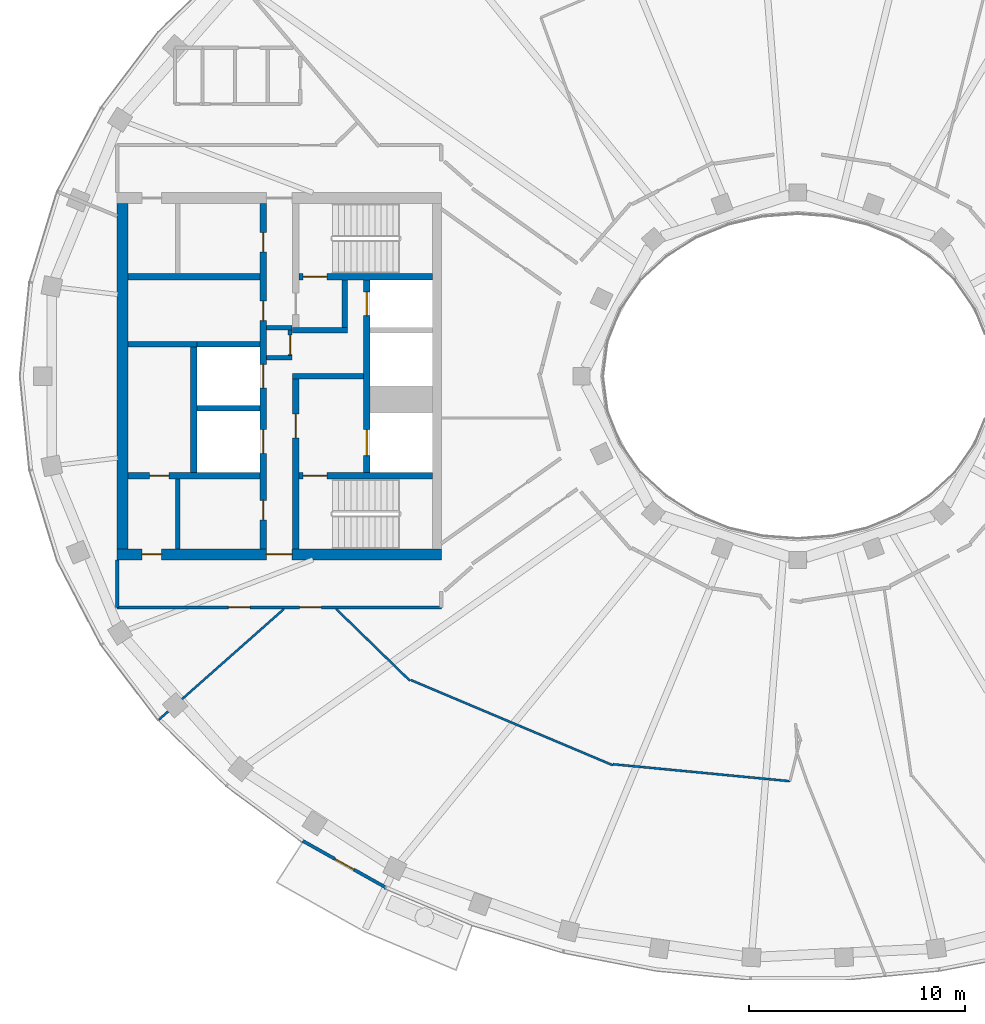
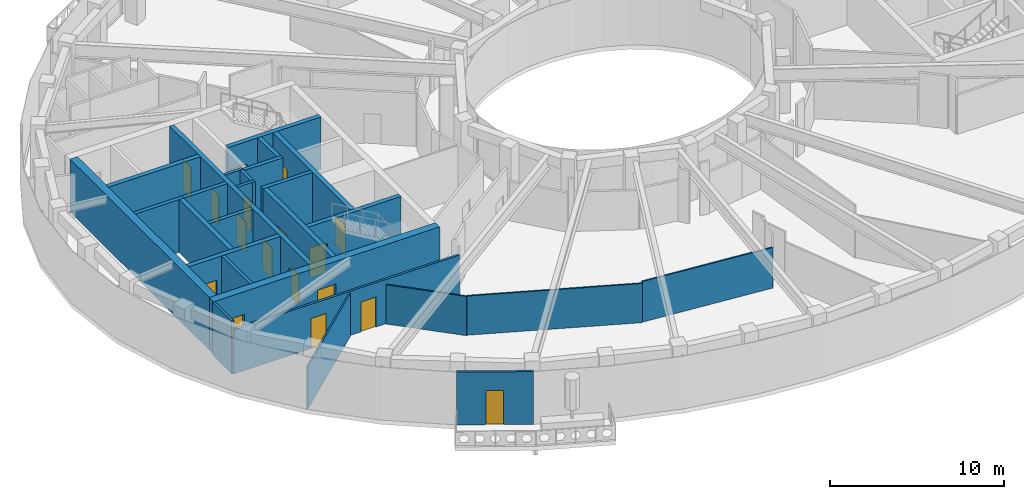
# One storey, part 3 of 18: 27 walls, 17 doors, 17 openings.
"""IFC4 building model written with IfcOpenShell, lengths in metres."""

from ifc_helpers import new_model, si_unit, direction, frame, frame_2d, origin, place, context, subcontext, project, spatial, rectangle, extrude, material, layer, layer_set, type_object, element, fill, save


model = new_model("IFC4")

# Units and contexts
model_context = context("Model", 3, precision=1e-05, world=origin(), true_north=direction((0.0, 1.0)))
body_context = subcontext(model_context, "Body", "Model", "MODEL_VIEW")
ifc_project = project(units=[si_unit("LENGTHUNIT", "METRE"), si_unit("AREAUNIT", "SQUARE_METRE"), si_unit("VOLUMEUNIT", "CUBIC_METRE"), si_unit("PLANEANGLEUNIT", "RADIAN"), si_unit("MASSUNIT", "GRAM", prefix="KILO")], contexts=[model_context])

# Site, building, storey
site_placement = place(None, origin())
site = spatial("IfcSite", under=ifc_project, at=site_placement, CompositionType="ELEMENT")
building_placement = place(site_placement, origin())
building = spatial("IfcBuilding", under=site, at=building_placement, Name="Noorbagh Ring Tower", CompositionType="ELEMENT")
storey_placement = place(building_placement, frame((0.0, 0.0, 319.0)))
storey = spatial("IfcBuildingStorey", under=building, at=storey_placement, Name="L69", CompositionType="ELEMENT", Elevation=319.0)

# Walls
ifc_material_1 = material(Name="Gypsum board on steel studs", Category="steel")
ifc_layer_1 = layer(ifc_material_1, 0.199951171875)
ifc_layer_set_1 = layer_set([ifc_layer_1], Name="Gypsum board on steel studs")
wall_type_1 = type_object("IfcWallType", Name="CORE-PARTITION-200", PredefinedType="PARTITIONING", material=ifc_layer_set_1)
for number, where, z_axis, x_axis, name in (
    (1, (-23.39990234375, 0.85009765625, 0.0), (0.0, 0.0, 1.0), (-1.0, 0.0, 0.0), "Core partition W"),
    (2, (-23.39990234375, 2.25, 0.0), (0.0, 0.0, 1.0), (-1.0, 0.0, 0.0), "Core partition W"),
):
    element("IfcWall", number, at=place(storey_placement, frame(where, z_axis=z_axis, x_axis=x_axis)), inside=storey, type_object=wall_type_1, Name=name, PredefinedType="PARTITIONING", context=body_context, shape_type="SweptSolid", body=[
        extrude(rectangle(XDim=1.2001953125, YDim=0.199951171875, at=frame_2d((0.60009765625, 0.0))), origin(), (0.0, 0.0, 1.0), 3.699951171875),
    ])

# Wall, opening, door
wall_1_placement = place(storey_placement, frame((-23.5, 0.75, 0.0), z_axis=(0.0, 0.0, 1.0), x_axis=(0.0, 1.0, 0.0)))
wall_1 = element("IfcWall", 3, at=wall_1_placement, inside=storey, type_object=wall_type_1, Name="Core partition W", PredefinedType="PARTITIONING", context=body_context, shape_type="SweptSolid", body=[
    extrude(rectangle(XDim=1.60009765625, YDim=0.199951171875, at=frame_2d((0.800048828125, 0.0))), origin(), (0.0, 0.0, 1.0), 3.699951171875),
])
opening_1_placement = place(wall_1_placement, frame((0.25, 0.0, 0.0)))
opening_1 = element("IfcOpeningElement", 4, at=opening_1_placement, cuts=wall_1, Name="Opening L69-CW16", PredefinedType="OPENING", context=body_context, shape_type="SweptSolid", body=[
    extrude(rectangle(XDim=0.89990234375, YDim=2.10009765625, at=frame_2d((0.449951171875, 1.050048828125))), frame((0.0, 0.10986328125, 0.0), z_axis=(0.0, -1.0, 0.0), x_axis=(1.0, 0.0, 0.0)), (0.0, 0.0, 1.0), 0.219970703125),
])
ifc_material_2 = material(Name="Steel door leaf", Category="steel")
door_type_1 = type_object("IfcDoorType", Name="CORE-DOOR-DROOM", OperationType="SINGLE_SWING_LEFT", PredefinedType="DOOR", material=ifc_material_2)
door_1_placement = place(opening_1_placement, origin())
door_1 = element("IfcDoor", 5, at=door_1_placement, inside=storey, type_object=door_type_1, Name="Core room door L69-CW16", OperationType="SINGLE_SWING_RIGHT", OverallHeight=2.10009765625, OverallWidth=0.89990234375, PredefinedType="DOOR", context=body_context, shape_type="SweptSolid", body=[
    extrude(rectangle(XDim=0.89990234375, YDim=2.10009765625, at=frame_2d((0.449951171875, 1.050048828125))), frame((0.0, 0.02490234375, 0.0), z_axis=(0.0, -1.0, 0.0), x_axis=(1.0, 0.0, 0.0)), (0.0, 0.0, 1.0), 0.050048828125),
])
fill(opening_1, door_1)

# Walls
wall_2_placement = place(storey_placement, frame((-28.699951171875, -8.0, 0.0), z_axis=(0.0, 0.0, 1.0), x_axis=(0.0, 1.0, 0.0)))
element("IfcWall", 6, at=wall_2_placement, inside=storey, type_object=wall_type_1, Name="Core partition W", PredefinedType="PARTITIONING", context=body_context, shape_type="SweptSolid", body=[
    extrude(rectangle(XDim=3.25, YDim=0.199951171875, at=frame_2d((1.625, 0.0))), origin(), (0.0, 0.0, 1.0), 3.699951171875),
])
ifc_material_3 = material(Name="Concrete C50/60", Category="concrete")
ifc_layer_2 = layer(ifc_material_3, 0.25)
ifc_layer_set_2 = layer_set([ifc_layer_2], Name="Concrete C50/60")
wall_type_2 = type_object("IfcWallType", Name="CORE-WALL-250-C50-60-EI120", PredefinedType="SHEAR", material=ifc_layer_set_2)
wall_3_placement = place(storey_placement, frame((-27.800048828125, 1.47509765625, 0.0), z_axis=(0.0, 0.0, 1.0), x_axis=(-1.0, 0.0, 0.0)))
element("IfcWall", 7, at=wall_3_placement, inside=storey, type_object=wall_type_2, Name="Core wall W", PredefinedType="SHEAR", context=body_context, shape_type="SweptSolid", body=[
    extrude(rectangle(XDim=3.199951171875, YDim=0.25, at=frame_2d((1.60009765625, 0.0))), origin(), (0.0, 0.0, 1.0), 3.699951171875),
])
for number, where, z_axis, x_axis, name in (
    (8, (-24.89990234375, -1.47509765625, 0.0), (0.0, 0.0, 1.0), (-1.0, 0.0, 0.0), "Core wall W"),
    (9, (-24.89990234375, 1.47509765625, 0.0), (0.0, 0.0, 1.0), (-1.0, 0.0, 0.0), "Core wall W"),
):
    element("IfcWall", number, at=place(storey_placement, frame(where, z_axis=z_axis, x_axis=x_axis)), inside=storey, type_object=wall_type_2, Name=name, PredefinedType="SHEAR", context=body_context, shape_type="SweptSolid", body=[
        extrude(rectangle(XDim=2.900146484375, YDim=0.25, at=frame_2d((1.4501953125, 0.0))), origin(), (0.0, 0.0, 1.0), 3.699951171875),
    ])
ifc_material_4 = material(Name="Concrete C50/60", Category="concrete")
ifc_layer_3 = layer(ifc_material_4, 0.25)
ifc_layer_set_3 = layer_set([ifc_layer_3], Name="Concrete C50/60")
wall_type_3 = type_object("IfcWallType", Name="CORE-WALL-250-C50-60-EI240", PredefinedType="SHEAR", material=ifc_layer_set_3)
wall_4_placement = place(storey_placement, frame((-20.10009765625, 0.0, 0.0), z_axis=(0.0, 0.0, 1.0), x_axis=(-1.0, 0.0, 0.0)))
element("IfcWall", 10, at=wall_4_placement, inside=storey, type_object=wall_type_3, Name="Core wall W", PredefinedType="SHEAR", context=body_context, shape_type="SweptSolid", body=[
    extrude(rectangle(XDim=3.27978515625, YDim=0.25, at=frame_2d((1.639892578125, 0.0))), origin(), (0.0, 0.0, 1.0), 3.699951171875),
])
wall_5_placement = place(storey_placement, frame((-20.85009765625, 2.125, 0.0), z_axis=(0.0, 0.0, 1.0), x_axis=(-1.0, 0.0, 0.0)))
element("IfcWall", 11, at=wall_5_placement, inside=storey, type_object=wall_type_3, Name="Core wall W", PredefinedType="SHEAR", context=body_context, shape_type="SweptSolid", body=[
    extrude(rectangle(XDim=2.52978515625, YDim=0.25, at=frame_2d((1.264892578125, 0.0))), origin(), (0.0, 0.0, 1.0), 3.699951171875),
])
wall_6_placement = place(storey_placement, frame((-20.97509765625, 2.25, 0.0), z_axis=(0.0, 0.0, 1.0), x_axis=(0.0, 1.0, 0.0)))
element("IfcWall", 12, at=wall_6_placement, inside=storey, type_object=wall_type_3, Name="Core wall W", PredefinedType="SHEAR", context=body_context, shape_type="SweptSolid", body=[
    extrude(rectangle(XDim=2.199951171875, YDim=0.25, at=frame_2d((1.10009765625, 0.0))), origin(), (0.0, 0.0, 1.0), 3.699951171875),
])
ifc_material_5 = material(Name="Concrete C50/60", Category="concrete")
ifc_layer_4 = layer(ifc_material_5, 0.300048828125)
ifc_layer_set_4 = layer_set([ifc_layer_4], Name="Concrete C50/60")
wall_type_4 = type_object("IfcWallType", Name="CORE-WALL-300-C50-60-EI120", PredefinedType="SHEAR", material=ifc_layer_set_4)
wall_7_placement = place(storey_placement, frame((-27.949951171875, -4.449951171875, 0.0), z_axis=(0.0, 0.0, 1.0), x_axis=(0.0, 1.0, 0.0)))
element("IfcWall", 13, at=wall_7_placement, inside=storey, type_object=wall_type_4, Name="Core wall W", PredefinedType="SHEAR", context=body_context, shape_type="SweptSolid", body=[
    extrude(rectangle(XDim=5.800048828125, YDim=0.300048828125, at=frame_2d((2.89990234375, 0.0))), origin(), (0.0, 0.0, 1.0), 3.699951171875),
])

# Wall, openings, doors
wall_8_placement = place(storey_placement, frame((-19.949951171875, -4.449951171875, 0.0), z_axis=(0.0, 0.0, 1.0), x_axis=(0.0, 1.0, 0.0)))
wall_8 = element("IfcWall", 14, at=wall_8_placement, inside=storey, type_object=wall_type_4, Name="Core wall W", PredefinedType="SHEAR", context=body_context, shape_type="SweptSolid", body=[
    extrude(rectangle(XDim=8.89990234375, YDim=0.300048828125, at=frame_2d((4.449951171875, 0.0))), origin(), (0.0, 0.0, 1.0), 3.699951171875),
])
opening_2_placement = place(wall_8_placement, frame((0.77490234375, 0.0, 0.0)))
opening_2 = element("IfcOpeningElement", 15, at=opening_2_placement, cuts=wall_8, Name="Opening L69-CW01", PredefinedType="OPENING", context=body_context, shape_type="SweptSolid", body=[
    extrude(rectangle(XDim=1.199951171875, YDim=2.10009765625, at=frame_2d((0.60009765625, 1.050048828125))), frame((0.0, 0.16015625, 0.0), z_axis=(0.0, -1.0, 0.0), x_axis=(1.0, 0.0, 0.0)), (0.0, 0.0, 1.0), 0.320068359375),
])
opening_3_placement = place(wall_8_placement, frame((7.25, 0.0, 0.0)))
opening_3 = element("IfcOpeningElement", 16, at=opening_3_placement, cuts=wall_8, Name="Opening L69-CW02", PredefinedType="OPENING", context=body_context, shape_type="SweptSolid", body=[
    extrude(rectangle(XDim=1.10009765625, YDim=2.10009765625, at=frame_2d((0.550048828125, 1.050048828125))), frame((0.0, 0.16015625, 0.0), z_axis=(0.0, -1.0, 0.0), x_axis=(1.0, 0.0, 0.0)), (0.0, 0.0, 1.0), 0.320068359375),
])
ifc_material_6 = material(Name="Steel door leaf", Category="steel")
door_type_2 = type_object("IfcDoorType", Name="CORE-DOOR-LD", OperationType="DOUBLE_DOOR_SLIDING", PredefinedType="DOOR", material=ifc_material_6)
door_2_placement = place(opening_3_placement, origin())
door_2 = element("IfcDoor", 17, at=door_2_placement, inside=storey, type_object=door_type_2, Name="Landing door HR1 L69-CW02", OperationType="DOUBLE_DOOR_SLIDING", OverallHeight=2.10009765625, OverallWidth=1.10009765625, PredefinedType="DOOR", context=body_context, shape_type="SweptSolid", body=[
    extrude(rectangle(XDim=1.10009765625, YDim=2.10009765625, at=frame_2d((0.550048828125, 1.050048828125))), frame((0.0, 0.02490234375, 0.0), z_axis=(0.0, -1.0, 0.0), x_axis=(1.0, 0.0, 0.0)), (0.0, 0.0, 1.0), 0.050048828125),
])
fill(opening_3, door_2)
ifc_material_7 = material(Name="Steel door leaf", Category="steel")
door_type_3 = type_object("IfcDoorType", Name="CORE-DOOR-LDW", OperationType="DOUBLE_DOOR_SLIDING", PredefinedType="DOOR", material=ifc_material_7)
door_3_placement = place(opening_2_placement, origin())
door_3 = element("IfcDoor", 18, at=door_3_placement, inside=storey, type_object=door_type_3, Name="Landing door FF1 L69-CW01", OperationType="DOUBLE_DOOR_SLIDING", OverallHeight=2.10009765625, OverallWidth=1.199951171875, PredefinedType="DOOR", context=body_context, shape_type="SweptSolid", body=[
    extrude(rectangle(XDim=1.199951171875, YDim=2.10009765625, at=frame_2d((0.60009765625, 1.050048828125))), frame((0.0, 0.02490234375, 0.0), z_axis=(0.0, -1.0, 0.0), x_axis=(1.0, 0.0, 0.0)), (0.0, 0.0, 1.0), 0.050048828125),
])
fill(opening_2, door_3)

wall_9_placement = place(storey_placement, frame((-24.75, -8.0, 0.0), z_axis=(0.0, 0.0, 1.0), x_axis=(0.0, 1.0, 0.0)))
wall_9 = element("IfcWall", 19, at=wall_9_placement, inside=storey, type_object=wall_type_4, Name="Core wall W", PredefinedType="SHEAR", context=body_context, shape_type="SweptSolid", body=[
    extrude(rectangle(XDim=16.0, YDim=0.300048828125, at=frame_2d((8.0, 0.0))), origin(), (0.0, 0.0, 1.0), 3.699951171875),
])
opening_4_placement = place(wall_9_placement, frame((4.425048828125, 0.0, 0.0)))
opening_4 = element("IfcOpeningElement", 20, at=opening_4_placement, cuts=wall_9, Name="Opening L69-CW03", PredefinedType="OPENING", context=body_context, shape_type="SweptSolid", body=[
    extrude(rectangle(XDim=1.10009765625, YDim=2.10009765625, at=frame_2d((0.550048828125, 1.050048828125))), frame((0.0, 0.16015625, 0.0), z_axis=(0.0, -1.0, 0.0), x_axis=(1.0, 0.0, 0.0)), (0.0, 0.0, 1.0), 0.320068359375),
])
opening_5_placement = place(wall_9_placement, frame((7.449951171875, 0.0, 0.0)))
opening_5 = element("IfcOpeningElement", 21, at=opening_5_placement, cuts=wall_9, Name="Opening L69-CW04", PredefinedType="OPENING", context=body_context, shape_type="SweptSolid", body=[
    extrude(rectangle(XDim=1.10009765625, YDim=2.10009765625, at=frame_2d((0.550048828125, 1.050048828125))), frame((0.0, 0.16015625, 0.0), z_axis=(0.0, -1.0, 0.0), x_axis=(1.0, 0.0, 0.0)), (0.0, 0.0, 1.0), 0.320068359375),
])
opening_6_placement = place(wall_9_placement, frame((10.574951171875, 0.0, 0.0)))
opening_6 = element("IfcOpeningElement", 22, at=opening_6_placement, cuts=wall_9, Name="Opening L69-CW11", PredefinedType="OPENING", context=body_context, shape_type="SweptSolid", body=[
    extrude(rectangle(XDim=0.89990234375, YDim=2.10009765625, at=frame_2d((0.449951171875, 1.050048828125))), frame((0.0, 0.16015625, 0.0), z_axis=(0.0, -1.0, 0.0), x_axis=(1.0, 0.0, 0.0)), (0.0, 0.0, 1.0), 0.320068359375),
])
opening_7_placement = place(wall_9_placement, frame((13.75, 0.0, 0.0)))
opening_7 = element("IfcOpeningElement", 23, at=opening_7_placement, cuts=wall_9, Name="Opening L69-CW12", PredefinedType="OPENING", context=body_context, shape_type="SweptSolid", body=[
    extrude(rectangle(XDim=0.89990234375, YDim=2.10009765625, at=frame_2d((0.449951171875, 1.050048828125))), frame((0.0, 0.16015625, 0.0), z_axis=(0.0, -1.0, 0.0), x_axis=(1.0, 0.0, 0.0)), (0.0, 0.0, 1.0), 0.320068359375),
])
opening_8_placement = place(wall_9_placement, frame((1.35009765625, 0.0, 0.0)))
opening_8 = element("IfcOpeningElement", 24, at=opening_8_placement, cuts=wall_9, Name="Opening L69-CW14", PredefinedType="OPENING", context=body_context, shape_type="SweptSolid", body=[
    extrude(rectangle(XDim=0.89990234375, YDim=2.10009765625, at=frame_2d((0.449951171875, 1.050048828125))), frame((0.0, 0.16015625, 0.0), z_axis=(0.0, -1.0, 0.0), x_axis=(1.0, 0.0, 0.0)), (0.0, 0.0, 1.0), 0.320068359375),
])
door_4_placement = place(opening_6_placement, origin())
door_4 = element("IfcDoor", 25, at=door_4_placement, inside=storey, type_object=door_type_1, Name="Core room door L69-CW11", OperationType="SINGLE_SWING_RIGHT", OverallHeight=2.10009765625, OverallWidth=0.89990234375, PredefinedType="DOOR", context=body_context, shape_type="SweptSolid", body=[
    extrude(rectangle(XDim=0.89990234375, YDim=2.10009765625, at=frame_2d((0.449951171875, 1.050048828125))), frame((0.0, 0.02490234375, 0.0), z_axis=(0.0, -1.0, 0.0), x_axis=(1.0, 0.0, 0.0)), (0.0, 0.0, 1.0), 0.050048828125),
])
fill(opening_6, door_4)
door_5_placement = place(opening_7_placement, origin())
door_5 = element("IfcDoor", 26, at=door_5_placement, inside=storey, type_object=door_type_1, Name="Core room door L69-CW12", OperationType="SINGLE_SWING_RIGHT", OverallHeight=2.10009765625, OverallWidth=0.89990234375, PredefinedType="DOOR", context=body_context, shape_type="SweptSolid", body=[
    extrude(rectangle(XDim=0.89990234375, YDim=2.10009765625, at=frame_2d((0.449951171875, 1.050048828125))), frame((0.0, 0.02490234375, 0.0), z_axis=(0.0, -1.0, 0.0), x_axis=(1.0, 0.0, 0.0)), (0.0, 0.0, 1.0), 0.050048828125),
])
fill(opening_7, door_5)
door_6_placement = place(opening_8_placement, origin())
door_6 = element("IfcDoor", 27, at=door_6_placement, inside=storey, type_object=door_type_1, Name="Core room door L69-CW14", OperationType="SINGLE_SWING_LEFT", OverallHeight=2.10009765625, OverallWidth=0.89990234375, PredefinedType="DOOR", context=body_context, shape_type="SweptSolid", body=[
    extrude(rectangle(XDim=0.89990234375, YDim=2.10009765625, at=frame_2d((0.449951171875, 1.050048828125))), frame((0.0, 0.02490234375, 0.0), z_axis=(0.0, -1.0, 0.0), x_axis=(1.0, 0.0, 0.0)), (0.0, 0.0, 1.0), 0.050048828125),
])
fill(opening_8, door_6)
door_7_placement = place(opening_4_placement, origin())
door_7 = element("IfcDoor", 28, at=door_7_placement, inside=storey, type_object=door_type_2, Name="Landing door HR5 L69-CW03", OperationType="DOUBLE_DOOR_SLIDING", OverallHeight=2.10009765625, OverallWidth=1.10009765625, PredefinedType="DOOR", context=body_context, shape_type="SweptSolid", body=[
    extrude(rectangle(XDim=1.10009765625, YDim=2.10009765625, at=frame_2d((0.550048828125, 1.050048828125))), frame((0.0, 0.02490234375, 0.0), z_axis=(0.0, -1.0, 0.0), x_axis=(1.0, 0.0, 0.0)), (0.0, 0.0, 1.0), 0.050048828125),
])
fill(opening_4, door_7)
door_8_placement = place(opening_5_placement, origin())
door_8 = element("IfcDoor", 29, at=door_8_placement, inside=storey, type_object=door_type_2, Name="Landing door HR6 L69-CW04", OperationType="DOUBLE_DOOR_SLIDING", OverallHeight=2.10009765625, OverallWidth=1.10009765625, PredefinedType="DOOR", context=body_context, shape_type="SweptSolid", body=[
    extrude(rectangle(XDim=1.10009765625, YDim=2.10009765625, at=frame_2d((0.550048828125, 1.050048828125))), frame((0.0, 0.02490234375, 0.0), z_axis=(0.0, -1.0, 0.0), x_axis=(1.0, 0.0, 0.0)), (0.0, 0.0, 1.0), 0.050048828125),
])
fill(opening_5, door_8)

# Wall
ifc_material_8 = material(Name="Concrete C50/60", Category="concrete")
ifc_layer_5 = layer(ifc_material_8, 0.300048828125)
ifc_layer_set_5 = layer_set([ifc_layer_5], Name="Concrete C50/60")
wall_type_5 = type_object("IfcWallType", Name="CORE-WALL-300-C50-60-EI240", PredefinedType="SHEAR", material=ifc_layer_set_5)
wall_10_placement = place(storey_placement, frame((-24.89990234375, 4.60009765625, 0.0), z_axis=(0.0, 0.0, 1.0), x_axis=(-1.0, 0.0, 0.0)))
element("IfcWall", 30, at=wall_10_placement, inside=storey, type_object=wall_type_5, Name="Core wall W", PredefinedType="SHEAR", context=body_context, shape_type="SweptSolid", body=[
    extrude(rectangle(XDim=6.10009765625, YDim=0.300048828125, at=frame_2d((3.050048828125, 0.0))), origin(), (0.0, 0.0, 1.0), 3.699951171875),
])

# Wall, opening, door
wall_11_placement = place(storey_placement, frame((-24.89990234375, -4.60009765625, 0.0), z_axis=(0.0, 0.0, 1.0), x_axis=(-1.0, 0.0, 0.0)))
wall_11 = element("IfcWall", 31, at=wall_11_placement, inside=storey, type_object=wall_type_5, Name="Core wall W", PredefinedType="SHEAR", context=body_context, shape_type="SweptSolid", body=[
    extrude(rectangle(XDim=6.10009765625, YDim=0.300048828125, at=frame_2d((3.050048828125, 0.0))), origin(), (0.0, 0.0, 1.0), 3.699951171875),
])
opening_9_placement = place(wall_11_placement, frame((4.199951171875, 0.0, 0.0)))
opening_9 = element("IfcOpeningElement", 32, at=opening_9_placement, cuts=wall_11, Name="Opening L69-CW17", PredefinedType="OPENING", context=body_context, shape_type="SweptSolid", body=[
    extrude(rectangle(XDim=0.89990234375, YDim=2.10009765625, at=frame_2d((0.449951171875, 1.050048828125))), frame((0.0, 0.16015625, 0.0), z_axis=(0.0, -1.0, 0.0), x_axis=(1.0, 0.0, 0.0)), (0.0, 0.0, 1.0), 0.320068359375),
])
door_9_placement = place(opening_9_placement, origin())
door_9 = element("IfcDoor", 33, at=door_9_placement, inside=storey, type_object=door_type_1, Name="Core room door L69-CW17", OperationType="SINGLE_SWING_RIGHT", OverallHeight=2.10009765625, OverallWidth=0.89990234375, PredefinedType="DOOR", context=body_context, shape_type="SweptSolid", body=[
    extrude(rectangle(XDim=0.89990234375, YDim=2.10009765625, at=frame_2d((0.449951171875, 1.050048828125))), frame((0.0, 0.02490234375, 0.0), z_axis=(0.0, -1.0, 0.0), x_axis=(1.0, 0.0, 0.0)), (0.0, 0.0, 1.0), 0.050048828125),
])
fill(opening_9, door_9)

wall_12_placement = place(storey_placement, frame((-23.22998046875, -8.0, 0.0), z_axis=(0.0, 0.0, 1.0), x_axis=(0.0, 1.0, 0.0)))
wall_12 = element("IfcWall", 34, at=wall_12_placement, inside=storey, type_object=wall_type_5, Name="Core wall W", PredefinedType="SHEAR", context=body_context, shape_type="SweptSolid", body=[
    extrude(rectangle(XDim=7.875, YDim=0.300048828125, at=frame_2d((3.9375, 0.0))), origin(), (0.0, 0.0, 1.0), 3.699951171875),
])
opening_10_placement = place(wall_12_placement, frame((5.14990234375, 0.0, 0.0)))
opening_10 = element("IfcOpeningElement", 35, at=opening_10_placement, cuts=wall_12, Name="Opening L69-CW07", PredefinedType="OPENING", context=body_context, shape_type="SweptSolid", body=[
    extrude(rectangle(XDim=1.10009765625, YDim=2.10009765625, at=frame_2d((0.550048828125, 1.050048828125))), frame((0.0, 0.16015625, 0.0), z_axis=(0.0, -1.0, 0.0), x_axis=(1.0, 0.0, 0.0)), (0.0, 0.0, 1.0), 0.320068359375),
])
ifc_material_9 = material(Name="Steel door leaf", Category="steel")
door_type_4 = type_object("IfcDoorType", Name="CORE-DOOR-DFF", OperationType="SINGLE_SWING_LEFT", PredefinedType="DOOR", material=ifc_material_9)
door_10_placement = place(opening_10_placement, origin())
door_10 = element("IfcDoor", 36, at=door_10_placement, inside=storey, type_object=door_type_4, Name="Firefighting lobby door L69-CW07", OperationType="SINGLE_SWING_LEFT", OverallHeight=2.10009765625, OverallWidth=1.10009765625, PredefinedType="DOOR", context=body_context, shape_type="SweptSolid", body=[
    extrude(rectangle(XDim=1.10009765625, YDim=2.10009765625, at=frame_2d((0.550048828125, 1.050048828125))), frame((0.0, 0.02490234375, 0.0), z_axis=(0.0, -1.0, 0.0), x_axis=(1.0, 0.0, 0.0)), (0.0, 0.0, 1.0), 0.050048828125),
])
fill(opening_10, door_10)

wall_13_placement = place(storey_placement, frame((-16.89990234375, 4.60009765625, 0.0), z_axis=(0.0, 0.0, 1.0), x_axis=(-1.0, 0.0, 0.0)))
wall_13 = element("IfcWall", 37, at=wall_13_placement, inside=storey, type_object=wall_type_5, Name="Core wall W", PredefinedType="SHEAR", context=body_context, shape_type="SweptSolid", body=[
    extrude(rectangle(XDim=6.18017578125, YDim=0.300048828125, at=frame_2d((3.090087890625, 0.0))), origin(), (0.0, 0.0, 1.0), 3.699951171875),
])
opening_11_placement = place(wall_13_placement, frame((4.89990234375, 0.0, 0.0)))
opening_11 = element("IfcOpeningElement", 38, at=opening_11_placement, cuts=wall_13, Name="Opening L69-CW05", PredefinedType="OPENING", context=body_context, shape_type="SweptSolid", body=[
    extrude(rectangle(XDim=1.10009765625, YDim=2.10009765625, at=frame_2d((0.550048828125, 1.050048828125))), frame((0.0, 0.16015625, 0.0), z_axis=(0.0, -1.0, 0.0), x_axis=(1.0, 0.0, 0.0)), (0.0, 0.0, 1.0), 0.320068359375),
])
ifc_material_10 = material(Name="Steel door leaf", Category="steel")
door_type_5 = type_object("IfcDoorType", Name="CORE-DOOR-DSTAIR", OperationType="SINGLE_SWING_LEFT", PredefinedType="DOOR", material=ifc_material_10)
door_11_placement = place(opening_11_placement, origin())
door_11 = element("IfcDoor", 39, at=door_11_placement, inside=storey, type_object=door_type_5, Name="Stair door ST1 L69-CW05", OperationType="SINGLE_SWING_RIGHT", OverallHeight=2.10009765625, OverallWidth=1.10009765625, PredefinedType="DOOR", context=body_context, shape_type="SweptSolid", body=[
    extrude(rectangle(XDim=1.10009765625, YDim=2.10009765625, at=frame_2d((0.550048828125, 1.050048828125))), frame((0.0, 0.02490234375, 0.0), z_axis=(0.0, -1.0, 0.0), x_axis=(1.0, 0.0, 0.0)), (0.0, 0.0, 1.0), 0.050048828125),
])
fill(opening_11, door_11)

wall_14_placement = place(storey_placement, frame((-16.89990234375, -4.60009765625, 0.0), z_axis=(0.0, 0.0, 1.0), x_axis=(-1.0, 0.0, 0.0)))
wall_14 = element("IfcWall", 40, at=wall_14_placement, inside=storey, type_object=wall_type_5, Name="Core wall W", PredefinedType="SHEAR", context=body_context, shape_type="SweptSolid", body=[
    extrude(rectangle(XDim=6.18017578125, YDim=0.300048828125, at=frame_2d((3.090087890625, 0.0))), origin(), (0.0, 0.0, 1.0), 3.699951171875),
])
opening_12_placement = place(wall_14_placement, frame((4.89990234375, 0.0, 0.0)))
opening_12 = element("IfcOpeningElement", 41, at=opening_12_placement, cuts=wall_14, Name="Opening L69-CW06", PredefinedType="OPENING", context=body_context, shape_type="SweptSolid", body=[
    extrude(rectangle(XDim=1.10009765625, YDim=2.10009765625, at=frame_2d((0.550048828125, 1.050048828125))), frame((0.0, 0.16015625, 0.0), z_axis=(0.0, -1.0, 0.0), x_axis=(1.0, 0.0, 0.0)), (0.0, 0.0, 1.0), 0.320068359375),
])
door_12_placement = place(opening_12_placement, origin())
door_12 = element("IfcDoor", 42, at=door_12_placement, inside=storey, type_object=door_type_5, Name="Stair door ST2 L69-CW06", OperationType="SINGLE_SWING_LEFT", OverallHeight=2.10009765625, OverallWidth=1.10009765625, PredefinedType="DOOR", context=body_context, shape_type="SweptSolid", body=[
    extrude(rectangle(XDim=1.10009765625, YDim=2.10009765625, at=frame_2d((0.550048828125, 1.050048828125))), frame((0.0, 0.02490234375, 0.0), z_axis=(0.0, -1.0, 0.0), x_axis=(1.0, 0.0, 0.0)), (0.0, 0.0, 1.0), 0.050048828125),
])
fill(opening_12, door_12)

# Wall, openings, doors
ifc_material_11 = material(Name="Concrete C50/60", Category="concrete")
ifc_layer_6 = layer(ifc_material_11, 0.5)
ifc_layer_set_6 = layer_set([ifc_layer_6], Name="Concrete C50/60")
wall_type_6 = type_object("IfcWallType", Name="CORE-WALL-500-C50-60-EI240", PredefinedType="SHEAR", material=ifc_layer_set_6)
wall_15_placement = place(storey_placement, frame((-16.5, -8.25, 0.0), z_axis=(0.0, 0.0, 1.0), x_axis=(-1.0, 0.0, 0.0)))
wall_15 = element("IfcWall", 43, at=wall_15_placement, inside=storey, type_object=wall_type_6, Name="Core wall W", PredefinedType="SHEAR", context=body_context, shape_type="SweptSolid", body=[
    extrude(rectangle(XDim=15.0, YDim=0.5, at=frame_2d((7.5, 0.0))), origin(), (0.0, 0.0, 1.0), 3.699951171875),
])
opening_13_placement = place(wall_15_placement, frame((6.89990234375, 0.0, 0.0)))
opening_13 = element("IfcOpeningElement", 44, at=opening_13_placement, cuts=wall_15, Name="Opening L69-CW10", PredefinedType="OPENING", context=body_context, shape_type="SweptSolid", body=[
    extrude(rectangle(XDim=1.199951171875, YDim=2.10009765625, at=frame_2d((0.60009765625, 1.050048828125))), frame((0.0, 0.260009765625, 0.0), z_axis=(0.0, -1.0, 0.0), x_axis=(1.0, 0.0, 0.0)), (0.0, 0.0, 1.0), 0.52001953125),
])
opening_14_placement = place(wall_15_placement, frame((12.949951171875, 0.0, 0.0)))
opening_14 = element("IfcOpeningElement", 45, at=opening_14_placement, cuts=wall_15, Name="Opening L69-CW15", PredefinedType="OPENING", context=body_context, shape_type="SweptSolid", body=[
    extrude(rectangle(XDim=0.89990234375, YDim=2.10009765625, at=frame_2d((0.449951171875, 1.050048828125))), frame((0.0, 0.260009765625, 0.0), z_axis=(0.0, -1.0, 0.0), x_axis=(1.0, 0.0, 0.0)), (0.0, 0.0, 1.0), 0.52001953125),
])
door_13_placement = place(opening_14_placement, origin())
door_13 = element("IfcDoor", 46, at=door_13_placement, inside=storey, type_object=door_type_1, Name="Core room door L69-CW15", OperationType="SINGLE_SWING_LEFT", OverallHeight=2.10009765625, OverallWidth=0.89990234375, PredefinedType="DOOR", context=body_context, shape_type="SweptSolid", body=[
    extrude(rectangle(XDim=0.89990234375, YDim=2.10009765625, at=frame_2d((0.449951171875, 1.050048828125))), frame((0.0, 0.02490234375, 0.0), z_axis=(0.0, -1.0, 0.0), x_axis=(1.0, 0.0, 0.0)), (0.0, 0.0, 1.0), 0.050048828125),
])
fill(opening_14, door_13)
ifc_material_12 = material(Name="Steel door leaf", Category="steel")
door_type_6 = type_object("IfcDoorType", Name="CORE-DOOR-PORT", OperationType="DOUBLE_DOOR_DOUBLE_SWING", PredefinedType="DOOR", material=ifc_material_12)
door_14_placement = place(opening_13_placement, origin())
door_14 = element("IfcDoor", 47, at=door_14_placement, inside=storey, type_object=door_type_6, Name="Core entrance door L69-CW10", OperationType="DOUBLE_DOOR_DOUBLE_SWING", OverallHeight=2.10009765625, OverallWidth=1.199951171875, PredefinedType="DOOR", context=body_context, shape_type="SweptSolid", body=[
    extrude(rectangle(XDim=1.199951171875, YDim=2.10009765625, at=frame_2d((0.60009765625, 1.050048828125))), frame((0.0, 0.02490234375, 0.0), z_axis=(0.0, -1.0, 0.0), x_axis=(1.0, 0.0, 0.0)), (0.0, 0.0, 1.0), 0.050048828125),
])
fill(opening_13, door_14)

# Walls
wall_16_placement = place(storey_placement, frame((-31.25, -8.0, 0.0), z_axis=(0.0, 0.0, 1.0), x_axis=(0.0, 1.0, 0.0)))
element("IfcWall", 48, at=wall_16_placement, inside=storey, type_object=wall_type_6, Name="Core wall W", PredefinedType="SHEAR", context=body_context, shape_type="SweptSolid", body=[
    extrude(rectangle(XDim=16.0, YDim=0.5, at=frame_2d((8.0, 0.0))), origin(), (0.0, 0.0, 1.0), 3.699951171875),
])
ifc_material_13 = material(Name="Gypsum board on steel studs", Category="steel")
ifc_layer_7 = layer(ifc_material_13, 0.14990234375)
ifc_layer_set_7 = layer_set([ifc_layer_7], Name="Gypsum board on steel studs")
wall_type_7 = type_object("IfcWallType", Name="CORRIDOR PARTITION 150 EI 30", PredefinedType="PARTITIONING", material=ifc_layer_set_7)
wall_17_placement = place(storey_placement, frame((-31.5, -10.699951171875, 0.0), z_axis=(0.0, 0.0, 1.0), x_axis=(0.0, 1.0, 0.0)))
element("IfcWall", 49, at=wall_17_placement, inside=storey, type_object=wall_type_7, Name="L69/wall/P02", PredefinedType="PARTITIONING", context=body_context, shape_type="SweptSolid", body=[
    extrude(rectangle(XDim=2.199951171875, YDim=0.14990234375, at=frame_2d((1.10009765625, 0.0))), origin(), (0.0, 0.0, 1.0), 3.699951171875),
])

# Wall, openings, doors
wall_18_placement = place(storey_placement, frame((-31.5, -10.699951171875, 0.0), z_axis=(0.0, 0.0, 1.0), x_axis=(1.0, 0.0, 0.0)))
wall_18 = element("IfcWall", 50, at=wall_18_placement, inside=storey, type_object=wall_type_7, Name="L69/wall/P03", PredefinedType="PARTITIONING", context=body_context, shape_type="SweptSolid", body=[
    extrude(rectangle(XDim=15.0, YDim=0.14990234375, at=frame_2d((7.5, 0.0))), origin(), (0.0, 0.0, 1.0), 3.10009765625),
])
opening_15_placement = place(wall_18_placement, frame((5.14990234375, 0.0, 0.0)))
opening_15 = element("IfcOpeningElement", 51, at=opening_15_placement, cuts=wall_18, Name="Opening D1", PredefinedType="OPENING", context=body_context, shape_type="SweptSolid", body=[
    extrude(rectangle(XDim=1.0, YDim=2.10009765625, at=frame_2d((0.5, 1.050048828125))), frame((0.0, 0.0849609375, 0.0), z_axis=(0.0, -1.0, 0.0), x_axis=(1.0, 0.0, 0.0)), (0.0, 0.0, 1.0), 0.169921875),
])
opening_16_placement = place(wall_18_placement, frame((8.447998046875, 0.0, 0.0)))
opening_16 = element("IfcOpeningElement", 52, at=opening_16_placement, cuts=wall_18, Name="Opening D1", PredefinedType="OPENING", context=body_context, shape_type="SweptSolid", body=[
    extrude(rectangle(XDim=1.0, YDim=2.10009765625, at=frame_2d((0.5, 1.050048828125))), frame((0.0, 0.0849609375, 0.0), z_axis=(0.0, -1.0, 0.0), x_axis=(1.0, 0.0, 0.0)), (0.0, 0.0, 1.0), 0.169921875),
])
ifc_material_14 = material(Name="Timber, painted", Category="wood")
door_type_7 = type_object("IfcDoorType", Name="DOOR 1000 X 2100 FD30", OperationType="SINGLE_SWING_LEFT", PredefinedType="DOOR", material=ifc_material_14)
door_15_placement = place(opening_15_placement, origin())
door_15 = element("IfcDoor", 53, at=door_15_placement, inside=storey, type_object=door_type_7, Name="L69-D06", OperationType="SINGLE_SWING_RIGHT", OverallHeight=2.10009765625, OverallWidth=1.0, PredefinedType="DOOR", context=body_context, shape_type="SweptSolid", body=[
    extrude(rectangle(XDim=1.0, YDim=2.10009765625, at=frame_2d((0.5, 1.050048828125))), frame((0.0, 0.02490234375, 0.0), z_axis=(0.0, -1.0, 0.0), x_axis=(1.0, 0.0, 0.0)), (0.0, 0.0, 1.0), 0.050048828125),
])
fill(opening_15, door_15)
door_16_placement = place(opening_16_placement, origin())
door_16 = element("IfcDoor", 54, at=door_16_placement, inside=storey, type_object=door_type_7, Name="L69-D07", OperationType="SINGLE_SWING_LEFT", OverallHeight=2.10009765625, OverallWidth=1.0, PredefinedType="DOOR", context=body_context, shape_type="SweptSolid", body=[
    extrude(rectangle(XDim=1.0, YDim=2.10009765625, at=frame_2d((0.5, 1.050048828125))), frame((0.0, 0.02490234375, 0.0), z_axis=(0.0, -1.0, 0.0), x_axis=(1.0, 0.0, 0.0)), (0.0, 0.0, 1.0), 0.050048828125),
])
fill(opening_16, door_16)

# Wall, opening, door
ifc_material_15 = material(Name="Insulated aluminium clad panel", Category="aluminium")
ifc_layer_8 = layer(ifc_material_15, 0.14990234375)
ifc_layer_set_8 = layer_set([ifc_layer_8], Name="Insulated aluminium clad panel")
wall_type_8 = type_object("IfcWallType", Name="ENV-WALL-DOOR", PredefinedType="STANDARD", material=ifc_layer_set_8)
wall_19_placement = place(storey_placement, frame((-22.913330078125, -21.508544921875, 0.0), z_axis=(0.0, 0.0, 1.0), x_axis=(0.872046572975, -0.489422899509, 0.0)))
wall_19 = element("IfcWall", 55, at=wall_19_placement, inside=storey, type_object=wall_type_8, Name="Balcony door wall chord 30", PredefinedType="STANDARD", context=body_context, shape_type="SweptSolid", body=[
    extrude(rectangle(XDim=4.425537109375, YDim=0.14990234375, at=frame_2d((2.212890625, 0.0))), origin(), (0.0, 0.0, 1.0), 3.699951171875),
])
opening_17_placement = place(wall_19_placement, frame((1.712646484375, 0.0, 0.0)))
opening_17 = element("IfcOpeningElement", 56, at=opening_17_placement, cuts=wall_19, Name="Opening D-BL", PredefinedType="OPENING", context=body_context, shape_type="SweptSolid", body=[
    extrude(rectangle(XDim=1.0, YDim=2.39990234375, at=frame_2d((0.5, 1.199951171875))), frame((0.0, 0.0849609375, 0.0), z_axis=(0.0, -1.0, 0.0), x_axis=(1.0, 0.0, 0.0)), (0.0, 0.0, 1.0), 0.169921875),
])
ifc_material_16 = material(Name="Aluminium and glass", Category="aluminium")
door_type_8 = type_object("IfcDoorType", Name="ENV-DOOR-BALCONY", OperationType="SINGLE_SWING_LEFT", PredefinedType="DOOR", material=ifc_material_16)
door_17_placement = place(opening_17_placement, origin())
door_17 = element("IfcDoor", 57, at=door_17_placement, inside=storey, type_object=door_type_8, Name="Balcony door chord 30", OperationType="SINGLE_SWING_RIGHT", OverallHeight=2.39990234375, OverallWidth=1.0, PredefinedType="DOOR", context=body_context, shape_type="SweptSolid", body=[
    extrude(rectangle(XDim=1.0, YDim=2.39990234375, at=frame_2d((0.5, 1.199951171875))), frame((0.0, 0.02490234375, 0.0), z_axis=(0.0, -1.0, 0.0), x_axis=(1.0, 0.0, 0.0)), (0.0, 0.0, 1.0), 0.050048828125),
])
fill(opening_17, door_17)

# Walls
ifc_material_17 = material(Name="Gypsum board on steel studs", Category="steel")
ifc_layer_9 = layer(ifc_material_17, 0.10009765625)
ifc_layer_set_9 = layer_set([ifc_layer_9], Name="Gypsum board on steel studs")
wall_type_9 = type_object("IfcWallType", Name="PARTITION 100 GYPSUM", PredefinedType="PARTITIONING", material=ifc_layer_set_9)
wall_20_placement = place(storey_placement, frame((-29.569091796875, -15.89501953125, 0.0), z_axis=(0.0, 0.0, 1.0), x_axis=(0.748985701008, 0.662586160198, 0.0)))
element("IfcWall", 58, at=wall_20_placement, inside=storey, type_object=wall_type_9, Name="L69/wall/P06", PredefinedType="PARTITIONING", context=body_context, shape_type="SweptSolid", body=[
    extrude(rectangle(XDim=7.72265625, YDim=0.10009765625, at=frame_2d((3.861328125, 0.0))), origin(), (0.0, 0.0, 1.0), 3.0),
])
wall_21_placement = place(storey_placement, frame((-21.362060546875, -10.778076171875, 0.0), z_axis=(0.0, 0.0, 1.0), x_axis=(0.716591049994, -0.697493560593, 0.0)))
element("IfcWall", 59, at=wall_21_placement, inside=storey, type_object=wall_type_9, Name="L69/wall/P17", PredefinedType="PARTITIONING", context=body_context, shape_type="SweptSolid", body=[
    extrude(rectangle(XDim=4.768310546875, YDim=0.10009765625, at=frame_2d((2.38427734375, 0.0))), origin(), (0.0, 0.0, 1.0), 2.75),
])
wall_22_placement = place(storey_placement, frame((-17.916015625, -14.06103515625, 0.0), z_axis=(0.0, 0.0, 1.0), x_axis=(0.92140228151, -0.388610133204, 0.0)))
element("IfcWall", 60, at=wall_22_placement, inside=storey, type_object=wall_type_9, Name="L69/wall/P20", PredefinedType="PARTITIONING", context=body_context, shape_type="SweptSolid", body=[
    extrude(rectangle(XDim=10.14111328125, YDim=0.10009765625, at=frame_2d((5.070556640625, 0.0))), origin(), (0.0, 0.0, 1.0), 2.75),
])
wall_23_placement = place(storey_placement, frame((-8.56201171875, -17.9599609375, 0.0), z_axis=(0.0, 0.0, 1.0), x_axis=(0.995451698016, -0.095267606857, 0.0)))
element("IfcWall", 61, at=wall_23_placement, inside=storey, type_object=wall_type_9, Name="L69/wall/P36", PredefinedType="PARTITIONING", context=body_context, shape_type="SweptSolid", body=[
    extrude(rectangle(XDim=8.24169921875, YDim=0.10009765625, at=frame_2d((4.120849609375, 0.0))), origin(), (0.0, 0.0, 1.0), 2.85009765625),
])

save(model, "model.ifc")
